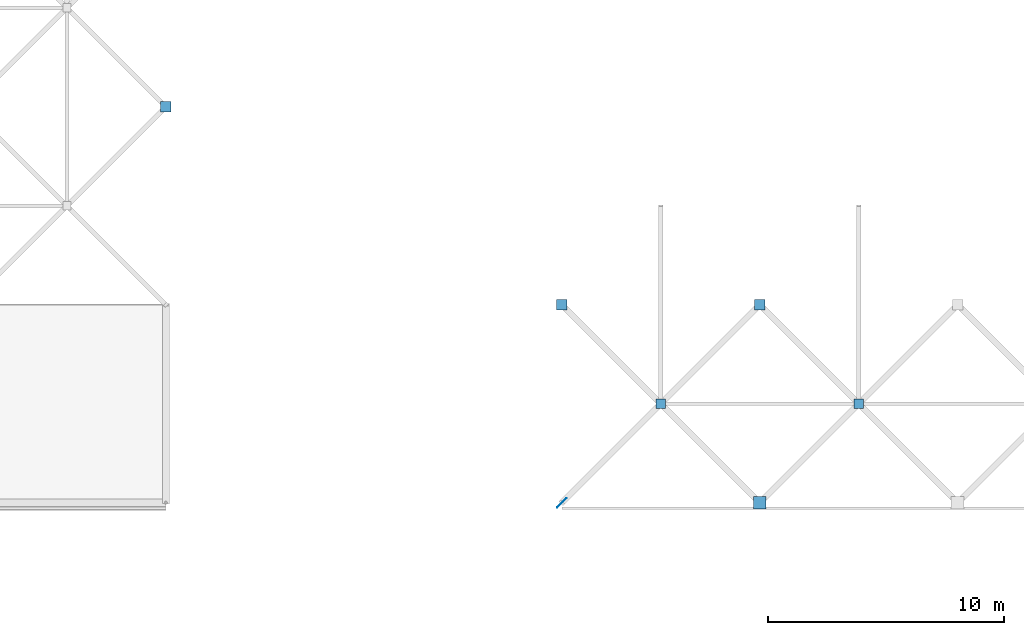
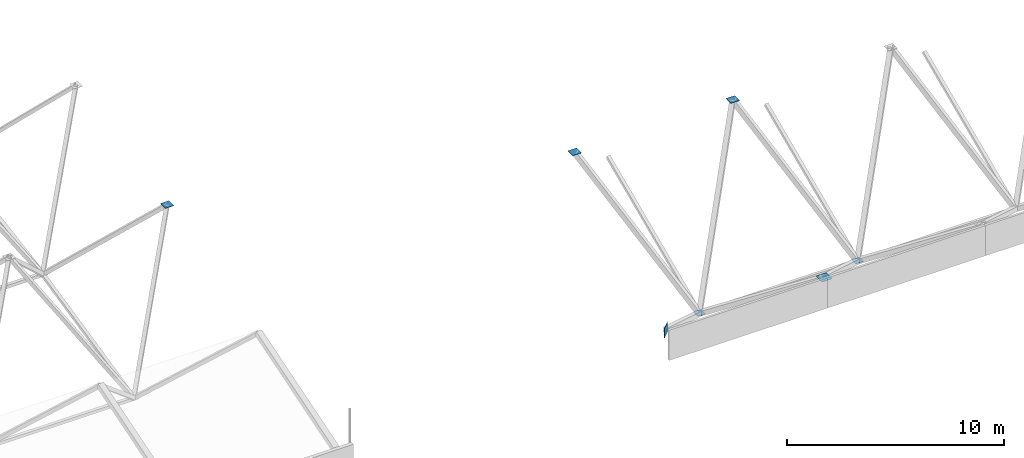
# One storey, part 60 of 85: 7 discrete accessories.
"""IFC4 building model written with IfcOpenShell, lengths in metres."""

from ifc_helpers import new_model, si_unit, direction, frame, origin, origin_2d, place, context, subcontext, project, spatial, rectangle, extrude, material, layer, layer_set, type_object, element, save


model = new_model("IFC4")

# Units and contexts
model_context = context("Model", 3, precision=1e-05, world=origin(), true_north=direction((0.0, 1.0)))
body_context = subcontext(model_context, "Body", "Model", "MODEL_VIEW")
ifc_project = project(units=[si_unit("LENGTHUNIT", "METRE"), si_unit("AREAUNIT", "SQUARE_METRE"), si_unit("VOLUMEUNIT", "CUBIC_METRE"), si_unit("PLANEANGLEUNIT", "RADIAN"), si_unit("MASSUNIT", "GRAM", prefix="KILO")], contexts=[model_context])

# Site, building, storey
site_placement = place(None, origin())
site = spatial("IfcSite", under=ifc_project, at=site_placement, CompositionType="ELEMENT")
building_placement = place(site_placement, origin())
building = spatial("IfcBuilding", under=site, at=building_placement, Name="Rain Tree Exposition and Congress Centre", CompositionType="ELEMENT")
storey_placement = place(building_placement, frame((0.0, 0.0, 15.0)))
storey = spatial("IfcBuildingStorey", under=building, at=storey_placement, Name="L03", CompositionType="ELEMENT", Elevation=15.0)

# Discrete accessories
ifc_material_1 = material(Name="Steel plate S355J2", Category="steel")
ifc_layer_1 = layer(ifc_material_1, 0.02001953125)
ifc_layer_set_1 = layer_set([ifc_layer_1], Name="Steel plate S355J2")
discrete_accessory_type_1 = type_object("IfcDiscreteAccessoryType", Name="Brace node plate 400x400x20", PredefinedType="BRACKET", material=ifc_layer_set_1)
for number, where, z_axis, x_axis, name in (
    (1, (147.0, 105.0, 1.762939453125), (0.0, 0.0, 1.0), (1.0, 0.0, 0.0), "Brace node plate 400"),
    (2, (155.39990234375, 105.0, 1.762939453125), (0.0, 0.0, 1.0), (1.0, 0.0, 0.0), "Brace node plate 400"),
):
    element("IfcDiscreteAccessory", number, at=place(storey_placement, frame(where, z_axis=z_axis, x_axis=x_axis)), inside=storey, type_object=discrete_accessory_type_1, Name=name, PredefinedType="BRACKET", context=body_context, shape_type="SweptSolid", body=[
        extrude(rectangle(XDim=0.39990234375, YDim=0.39990234375, at=origin_2d()), origin(), (0.0, 0.0, 1.0), 0.02001953125),
    ])
ifc_material_2 = material(Name="Steel plate S355J2", Category="steel")
ifc_layer_2 = layer(ifc_material_2, 0.02001953125)
ifc_layer_set_2 = layer_set([ifc_layer_2], Name="Steel plate S355J2")
discrete_accessory_type_2 = type_object("IfcDiscreteAccessoryType", Name="Brace node plate 450x450x20", PredefinedType="BRACKET", material=ifc_layer_set_2)
for number, where, z_axis, x_axis, name in (
    (3, (126.0, 117.60009765625, 7.564208984375), (0.0, 0.0, 1.0), (1.0, 0.0, 0.0), "Brace node plate 450"),
    (4, (142.800048828125, 109.199951171875, 9.73388671875), (0.0, 0.0, 1.0), (1.0, 0.0, 0.0), "Brace node plate 450"),
    (5, (151.199951171875, 109.199951171875, 9.73388671875), (0.0, 0.0, 1.0), (1.0, 0.0, 0.0), "Brace node plate 450"),
):
    element("IfcDiscreteAccessory", number, at=place(storey_placement, frame(where, z_axis=z_axis, x_axis=x_axis)), inside=storey, type_object=discrete_accessory_type_2, Name=name, PredefinedType="BRACKET", context=body_context, shape_type="SweptSolid", body=[
        extrude(rectangle(XDim=0.449951171875, YDim=0.449951171875, at=origin_2d()), origin(), (0.0, 0.0, 1.0), 0.02001953125),
    ])
ifc_material_3 = material(Name="Steel plate S355J2", Category="steel")
ifc_layer_3 = layer(ifc_material_3, 0.02001953125)
ifc_layer_set_3 = layer_set([ifc_layer_3], Name="Steel plate S355J2")
discrete_accessory_type_3 = type_object("IfcDiscreteAccessoryType", Name="Brace node plate 550x550x20", PredefinedType="BRACKET", material=ifc_layer_set_3)
discrete_accessory_1_placement = place(storey_placement, frame((142.800048828125, 100.800048828125, 4.5751953125), z_axis=(0.0, 0.0, 1.0), x_axis=(0.707106781187, 0.707106781187, 0.0)))
element("IfcDiscreteAccessory", 6, at=discrete_accessory_1_placement, inside=storey, type_object=discrete_accessory_type_3, Name="Brace node plate 550", PredefinedType="BRACKET", context=body_context, shape_type="SweptSolid", body=[
    extrude(rectangle(XDim=0.550048828125, YDim=0.02001953125, at=origin_2d()), origin(), (0.0, 0.0, 1.0), 0.550048828125),
])
discrete_accessory_2_placement = place(storey_placement, frame((151.199951171875, 100.800048828125, 4.840087890625), z_axis=(0.0, 0.0, 1.0), x_axis=(1.0, 0.0, 0.0)))
element("IfcDiscreteAccessory", 7, at=discrete_accessory_2_placement, inside=storey, type_object=discrete_accessory_type_3, Name="Brace node plate 550", PredefinedType="BRACKET", context=body_context, shape_type="SweptSolid", body=[
    extrude(rectangle(XDim=0.550048828125, YDim=0.550048828125, at=origin_2d()), origin(), (0.0, 0.0, 1.0), 0.02001953125),
])

save(model, "model.ifc")
